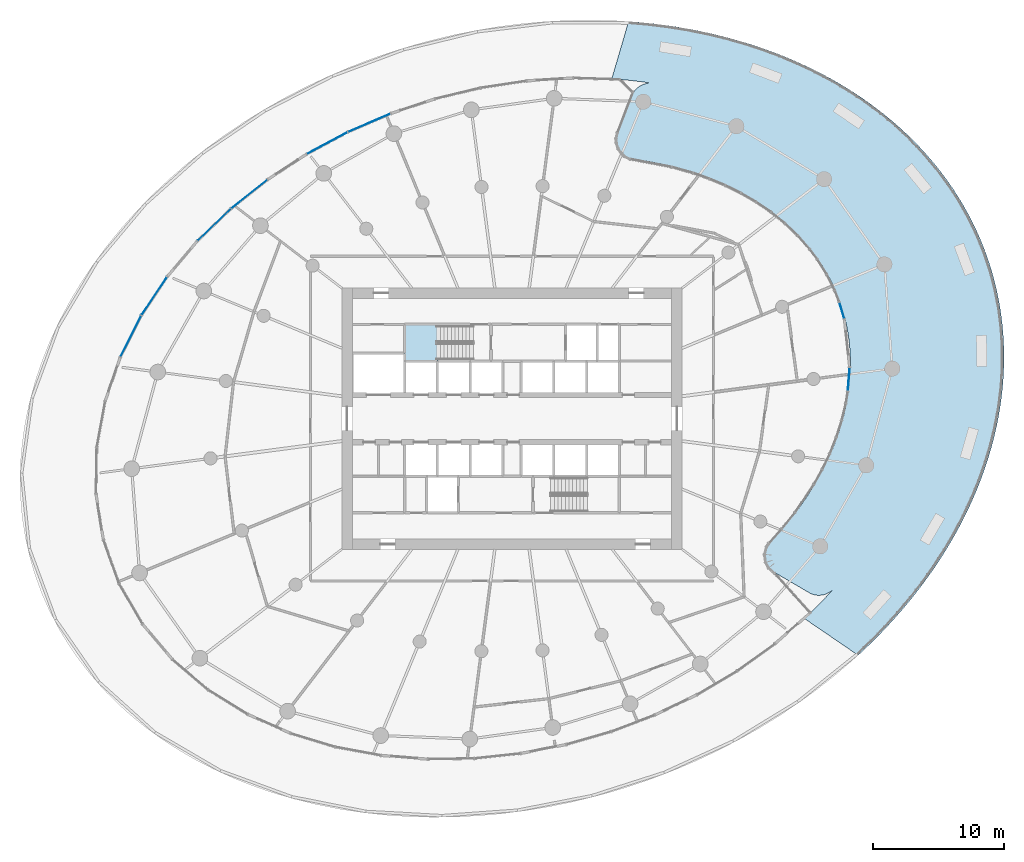
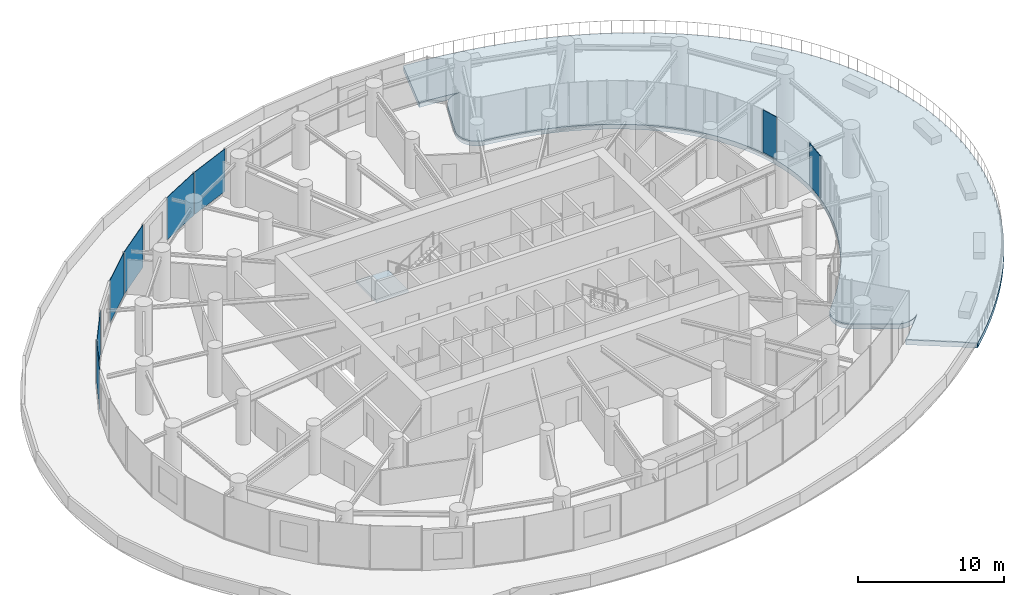
# One storey, part 11 of 24: 8 plates, 2 slabs, 6 elements without a shape of their own.
"""IFC4 building model written with IfcOpenShell, lengths in metres."""

from ifc_helpers import new_model, si_unit, direction, frame, origin, origin_2d, place, context, subcontext, project, spatial, line, indexed_curve, rectangle, outline, extrude, source, transform, mapped, material, layer, layer_set, type_object, element, aggregate, save


model = new_model("IFC4")

# Units and contexts
model_context = context("Model", 3, precision=1e-05, world=origin(), true_north=direction((0.0, 1.0)))
body_context = subcontext(model_context, "Body", "Model", "MODEL_VIEW")
ifc_project = project(units=[si_unit("LENGTHUNIT", "METRE"), si_unit("AREAUNIT", "SQUARE_METRE"), si_unit("VOLUMEUNIT", "CUBIC_METRE"), si_unit("PLANEANGLEUNIT", "RADIAN"), si_unit("MASSUNIT", "GRAM", prefix="KILO")], contexts=[model_context])

# Site, building, storey
site_placement = place(None, origin())
site = spatial("IfcSite", under=ifc_project, at=site_placement, CompositionType="ELEMENT")
building_placement = place(site_placement, origin())
building = spatial("IfcBuilding", under=site, at=building_placement, Name="Spindrift Exchange Tower", CompositionType="ELEMENT")
storey_placement = place(building_placement, frame((0.0, 0.0, 79.800048828125)))
storey = spatial("IfcBuildingStorey", under=building, at=storey_placement, Name="L18", CompositionType="ELEMENT", Elevation=79.800048828125)

# Slab
ifc_material_1 = material(Name="Concrete 40 MPa", Category="concrete")
ifc_layer_1 = layer(ifc_material_1, 0.39990234375)
ifc_layer_set_1 = layer_set([ifc_layer_1], Name="RC Garden Terrace Slab 400 Concrete 40 MPa")
slab_type_1 = type_object("IfcSlabType", Name="RC Garden Terrace Slab 400 Concrete 40 MPa", PredefinedType="FLOOR", material=ifc_layer_set_1)
slab_1_placement = place(storey_placement, frame((0.0, 0.0, -0.400146484375)))
element("IfcSlab", 1, at=slab_1_placement, inside=storey, type_object=slab_type_1, Name="Sky garden terrace L18", PredefinedType="FLOOR", context=body_context, shape_type="SweptSolid", body=[
    extrude(outline(indexed_curve([(62.739990234375, 73.62353515625), (61.979736328125, 73.732421875), (60.97607421875, 73.848876953125), (60.47265625, 73.896484375), (59.67724609375, 73.956298828125), (59.65478515625, 73.966064453125), (59.6396484375, 73.985595703125), (59.637451171875, 74.01953125), (60.89794921875, 78.313720703125), (60.909912109375, 78.33447265625), (60.93017578125, 78.34716796875), (61.6298828125, 78.29638671875), (62.812744140625, 78.1767578125), (63.99169921875, 78.023681640625), (64.580810546875, 77.934326171875), (65.751953125, 77.730224609375), (66.916015625, 77.491455078125), (68.0732421875, 77.217041015625), (68.6484375, 77.06640625), (69.791259765625, 76.73779296875), (70.359375, 76.5595703125), (70.92431640625, 76.3720703125), (72.04248046875, 75.96923828125), (72.59619140625, 75.753662109375), (73.146240234375, 75.52880859375), (73.693359375, 75.29345703125), (74.23486328125, 75.049072265625), (74.77197265625, 74.794921875), (75.305908203125, 74.530029296875), (75.832763671875, 74.256591796875), (76.354736328125, 73.972900390625), (76.871826171875, 73.678955078125), (77.38330078125, 73.375), (77.887939453125, 73.061279296875), (78.386962890625, 72.7373046875), (78.87939453125, 72.403076171875), (79.364013671875, 72.059326171875), (79.84130859375, 71.705810546875), (80.31201171875, 71.34130859375), (80.774658203125, 70.967041015625), (81.228515625, 70.5830078125), (81.674072265625, 70.189208984375), (82.110595703125, 69.785400390625), (82.537841796875, 69.371826171875), (82.95556640625, 68.94873046875), (83.363037109375, 68.516357421875), (83.760498046875, 68.07421875), (84.147705078125, 67.622314453125), (84.523681640625, 67.16162109375), (84.88818359375, 66.69189453125), (85.2412109375, 66.21337890625), (85.58251953125, 65.726318359375), (85.911376953125, 65.230712890625), (86.2275390625, 64.727294921875), (86.531005859375, 64.2158203125), (86.821044921875, 63.697021484375), (87.097900390625, 63.170654296875), (87.361083984375, 62.637451171875), (87.610107421875, 62.09765625), (87.84521484375, 61.551513671875), (88.066162109375, 60.99951171875), (88.272216796875, 60.4423828125), (88.463623046875, 59.87939453125), (88.640380859375, 59.312255859375), (88.80224609375, 58.739501953125), (88.949462890625, 58.162109375), (89.0810546875, 57.582763671875), (89.19775390625, 56.9990234375), (89.299072265625, 56.4130859375), (89.38525390625, 55.82568359375), (89.45654296875, 55.234619140625), (89.512451171875, 54.643310546875), (89.553466796875, 54.050048828125), (89.57958984375, 53.4560546875), (89.5908203125, 52.861572265625), (89.58740234375, 52.266357421875), (89.5693359375, 51.672607421875), (89.536865234375, 51.078369140625), (89.490234375, 50.486083984375), (89.429443359375, 49.895263671875), (89.35498046875, 49.305419921875), (89.2666015625, 48.71728515625), (89.164794921875, 48.13134765625), (89.05029296875, 47.548583984375), (88.921875, 46.96630859375), (88.78125, 46.388916015625), (88.628173828125, 45.815185546875), (88.462646484375, 45.243896484375), (88.28515625, 44.676513671875), (88.09521484375, 44.11181640625), (87.89453125, 43.552734375), (87.68212890625, 42.996826171875), (87.459228515625, 42.446044921875), (87.225341796875, 41.89990234375), (86.98046875, 41.357666015625), (86.725341796875, 40.820068359375), (86.46044921875, 40.2880859375), (86.185791015625, 39.76123046875), (85.901123046875, 39.2392578125), (85.607421875, 38.722412109375), (85.30419921875, 38.210693359375), (84.9921875, 37.70458984375), (84.67138671875, 37.203857421875), (84.34228515625, 36.708984375), (84.004150390625, 36.218505859375), (83.304931640625, 35.256591796875), (82.575439453125, 34.318603515625), (81.815673828125, 33.402587890625), (81.02880859375, 32.51171875), (80.215087890625, 31.644287109375), (79.3759765625, 30.801513671875), (78.947265625, 30.388916015625), (78.457763671875, 29.937744140625), (78.43408203125, 29.93505859375), (78.412109375, 29.943359375), (74.385986328125, 32.69580078125), (74.36767578125, 32.71875), (74.364501953125, 32.7431640625), (74.376708984375, 32.77001953125), (74.9541015625, 33.319580078125), (75.313720703125, 33.67529296875), (76.01708984375, 34.40087890625), (76.53759765625, 34.967529296875), (76.462646484375, 34.892578125), (76.349609375, 34.79931640625), (76.22998046875, 34.718505859375), (76.103271484375, 34.64990234375), (75.96142578125, 34.590087890625), (75.823486328125, 34.547607421875), (75.684814453125, 34.51904296875), (75.531494140625, 34.5029296875), (75.387451171875, 34.502197265625), (75.243896484375, 34.51513671875), (75.099853515625, 34.54248046875), (74.961181640625, 34.582763671875), (74.82080078125, 34.639404296875), (74.690185546875, 34.70751953125), (72.090576171875, 36.230224609375), (71.96435546875, 36.312744140625), (71.849365234375, 36.405517578125), (71.740478515625, 36.5126953125), (71.644775390625, 36.62841796875), (71.56103515625, 36.753173828125), (71.490234375, 36.885498046875), (71.432861328125, 37.0244140625), (71.3896484375, 37.168212890625), (71.361083984375, 37.315673828125), (71.347412109375, 37.465087890625), (71.34912109375, 37.620361328125), (71.365478515625, 37.76708984375), (71.39697265625, 37.9140625), (71.44189453125, 38.0546875), (71.50048828125, 38.190185546875), (71.577392578125, 38.327880859375), (71.662353515625, 38.448974609375), (71.758056640625, 38.560546875), (72.348388671875, 39.20654296875), (72.8818359375, 39.828369140625), (73.402587890625, 40.474609375), (73.664794921875, 40.81689453125), (74.16259765625, 41.501220703125), (74.634521484375, 42.199462890625), (75.093017578125, 42.93359375), (75.32080078125, 43.322509765625), (75.7353515625, 44.081298828125), (75.94287109375, 44.489990234375), (76.31396484375, 45.282958984375), (76.49072265625, 45.695068359375), (76.665283203125, 46.129150390625), (76.82373046875, 46.55224609375), (76.967041015625, 46.963134765625), (77.106201171875, 47.396240234375), (77.23486328125, 47.8330078125), (77.357421875, 48.2939453125), (77.46337890625, 48.73974609375), (77.5537109375, 49.169189453125), (77.6396484375, 49.64208984375), (77.708984375, 50.097900390625), (77.765380859375, 50.555908203125), (77.806396484375, 50.993896484375), (77.83642578125, 51.455078125), (77.852783203125, 51.940673828125), (77.85400390625, 52.404296875), (77.840576171875, 52.8671875), (77.814208984375, 53.30615234375), (77.771728515625, 53.767578125), (77.7109375, 54.252197265625), (77.6376953125, 54.710693359375), (77.54931640625, 55.166259765625), (77.451416015625, 55.593994140625), (77.33349609375, 56.04296875), (77.192626953125, 56.51171875), (77.043701171875, 56.951171875), (76.8798828125, 57.385498046875), (76.701416015625, 57.814208984375), (76.508544921875, 58.236328125), (76.302001953125, 58.6513671875), (76.09326171875, 59.0380859375), (75.847412109375, 59.4599609375), (75.60009765625, 59.852783203125), (75.3408203125, 60.236572265625), (75.08349609375, 60.593017578125), (74.78564453125, 60.978759765625), (74.4912109375, 61.336181640625), (74.186279296875, 61.68359375), (73.886474609375, 62.005615234375), (73.54638671875, 62.349853515625), (73.212158203125, 62.668212890625), (72.869873046875, 62.976318359375), (72.52001953125, 63.27392578125), (72.177978515625, 63.549560546875), (71.797607421875, 63.83935546875), (71.42724609375, 64.106201171875), (71.06640625, 64.352783203125), (70.684326171875, 64.6005859375), (70.282470703125, 64.846923828125), (69.89208984375, 65.073486328125), (69.5126953125, 65.2822265625), (69.099609375, 65.497314453125), (68.69921875, 65.694580078125), (67.905029296875, 66.05517578125), (67.484130859375, 66.230712890625), (66.680908203125, 66.537841796875), (66.258056640625, 66.685791015625), (65.45068359375, 66.943359375), (65.028076171875, 67.065673828125), (64.2099609375, 67.27978515625), (63.406982421875, 67.4619140625), (62.596923828125, 67.619384765625), (62.183349609375, 67.689697265625), (61.1669921875, 67.84326171875), (61.02490234375, 67.883544921875), (60.889892578125, 67.936767578125), (60.751708984375, 68.007568359375), (60.627685546875, 68.087890625), (60.512451171875, 68.18017578125), (60.39990234375, 68.29052734375), (60.305419921875, 68.404052734375), (60.219970703125, 68.53076171875), (60.14892578125, 68.6630859375), (60.09228515625, 68.79931640625), (60.050048828125, 68.938232421875), (60.02001953125, 69.088134765625), (60.005859375, 69.237548828125), (60.006591796875, 69.390380859375), (60.0224609375, 69.53955078125), (60.05322265625, 69.686767578125), (60.098388671875, 69.83056640625), (61.146728515625, 72.6552734375), (61.20361328125, 72.788330078125), (61.277587890625, 72.92333984375), (61.359130859375, 73.042236328125), (61.453369140625, 73.154541015625), (61.556396484375, 73.255615234375), (61.66845703125, 73.34619140625), (61.797119140625, 73.4306640625), (61.925048828125, 73.497314453125), (62.056396484375, 73.55078125), (62.2041015625, 73.594482421875), (62.345703125, 73.62158203125), (62.4892578125, 73.634765625), (62.6357421875, 73.634033203125)], segments=[line(1, 2, 3, 4, 5, 6, 7, 8, 9, 10, 11, 12, 13, 14, 15, 16, 17, 18, 19, 20, 21, 22, 23, 24, 25, 26, 27, 28, 29, 30, 31, 32, 33, 34, 35, 36, 37, 38, 39, 40, 41, 42, 43, 44, 45, 46, 47, 48, 49, 50, 51, 52, 53, 54, 55, 56, 57, 58, 59, 60, 61, 62, 63, 64, 65, 66, 67, 68, 69, 70, 71, 72, 73, 74, 75, 76, 77, 78, 79, 80, 81, 82, 83, 84, 85, 86, 87, 88, 89, 90, 91, 92, 93, 94, 95, 96, 97, 98, 99, 100, 101, 102, 103, 104, 105, 106, 107, 108, 109, 110, 111, 112, 113, 114, 115, 116, 117, 118, 119, 120, 121, 122, 123, 124, 125, 126, 127, 128, 129, 130, 131, 132, 133, 134, 135, 136, 137, 138, 139, 140, 141, 142, 143, 144, 145, 146, 147, 148, 149, 150, 151, 152, 153, 154, 155, 156, 157, 158, 159, 160, 161, 162, 163, 164, 165, 166, 167, 168, 169, 170, 171, 172, 173, 174, 175, 176, 177, 178, 179, 180, 181, 182, 183, 184, 185, 186, 187, 188, 189, 190, 191, 192, 193, 194, 195, 196, 197, 198, 199, 200, 201, 202, 203, 204, 205, 206, 207, 208, 209, 210, 211, 212, 213, 214, 215, 216, 217, 218, 219, 220, 221, 222, 223, 224, 225, 226, 227, 228, 229, 230, 231, 232, 233, 234, 235, 236, 237, 238, 239, 240, 241, 242, 243, 244, 245, 246, 247, 248, 249, 250, 251, 252, 253, 254, 255, 256, 257, 258, 259, 260, 261, 262, 1)], self_intersect=False)), origin(), (0.0, 0.0, 1.0), 0.400146484375),
])

# Stair, slab
ifc_material_2 = material(Name="Concrete 50 MPa", Category="concrete")
stair_type = type_object("IfcStairType", Name="ST-1250-R186", PredefinedType="HALF_TURN_STAIR", material=ifc_material_2)
stair_placement = place(storey_placement, origin())
stair = element("IfcStair", 2, at=stair_placement, inside=storey, type_object=stair_type, Name="L18 Exit stair ST1", PredefinedType="HALF_TURN_STAIR")
ifc_layer_2 = layer(ifc_material_2, 0.199951171875)
ifc_layer_set_2 = layer_set([ifc_layer_2], Name="SL-LANDING")
slab_type_2 = type_object("IfcSlabType", Name="SL-LANDING", PredefinedType="LANDING", material=ifc_layer_set_2)
slab_2_placement = place(storey_placement, frame((0.0, 0.0, 1.849853515625)))
slab_2 = element("IfcSlab", 3, at=slab_2_placement, type_object=slab_type_2, Name="ST1 landing 1", PredefinedType="LANDING", context=body_context, shape_type="SweptSolid", body=[
    extrude(outline(indexed_curve([(46.330078125, 52.39990234375), (43.800048828125, 52.39990234375), (43.800048828125, 55.199951171875), (46.330078125, 55.199951171875)], segments=[line(1, 2, 3, 4, 1)], self_intersect=False)), origin(), (0.0, 0.0, 1.0), 0.2001953125),
])
aggregate(stair, [slab_2])

# Curtain wall, plate
ifc_material_3 = material(Name="Fritted laminated glass with bronze frame", Category="glass")
ifc_layer_3 = layer(ifc_material_3, 0.18994140625)
ifc_layer_set_3 = layer_set([ifc_layer_3], Name="ZONE 2 BRONZE FRITTED WALL")
curtain_wall_type_1 = type_object("IfcCurtainWallType", Name="ZONE 2 BRONZE FRITTED WALL", PredefinedType="NOTDEFINED", material=ifc_layer_set_3)
curtain_wall_1_placement = place(storey_placement, origin())
curtain_wall_1 = element("IfcCurtainWall", 4, at=curtain_wall_1_placement, inside=storey, type_object=curtain_wall_type_1, Name="L18 Zone 2 Bronze Fritted Wall run 1", PredefinedType="NOTDEFINED")
ifc_material_4 = material(Name="Bronze tinted laminated glass, light frit", Category="glass")
ifc_layer_4 = layer(ifc_material_4, 0.033935546875)
ifc_layer_set_4 = layer_set([ifc_layer_4], Name="ZONE 2 BRONZE FRITTED WALL PANEL LIGHT FRIT 960")
plate_type_1 = type_object("IfcPlateType", Name="ZONE 2 BRONZE FRITTED WALL PANEL LIGHT FRIT 960", PredefinedType="CURTAIN_PANEL", material=ifc_layer_set_4)
shared_shape_1 = source(origin(), body_context, "Body", "SweptSolid", [
    extrude(rectangle(XDim=3.49169921875, YDim=0.033935546875, at=origin_2d()), origin(), (0.0, 0.0, 1.0), 3.56005859375),
])
plate_1_placement = place(storey_placement, frame((41.09619140625, 70.602783203125, 0.139892578125), z_axis=(0.0, 0.0, 1.0), x_axis=(-0.918673357413, -0.395018053233, 0.0)))
plate_1 = element("IfcPlate", 5, at=plate_1_placement, type_object=plate_type_1, Name="L18 panel CW-2.6", PredefinedType="CURTAIN_PANEL", context=body_context, shape_type="MappedRepresentation", body=[
    mapped(shared_shape_1, transform((0.0, 0.0, 0.0), scale=1.0)),
])
aggregate(curtain_wall_1, [plate_1])

# Curtain wall, plates
curtain_wall_2_placement = place(storey_placement, origin())
curtain_wall_2 = element("IfcCurtainWall", 6, at=curtain_wall_2_placement, inside=storey, type_object=curtain_wall_type_1, Name="L18 Zone 2 Bronze Fritted Wall run 2", PredefinedType="NOTDEFINED")
ifc_layer_5 = layer(ifc_material_4, 0.033935546875)
ifc_layer_set_5 = layer_set([ifc_layer_5], Name="ZONE 2 BRONZE FRITTED WALL PANEL LIGHT FRIT 1200")
plate_type_2 = type_object("IfcPlateType", Name="ZONE 2 BRONZE FRITTED WALL PANEL LIGHT FRIT 1200", PredefinedType="CURTAIN_PANEL", material=ifc_layer_set_5)
shared_shape_2 = source(origin(), body_context, "Body", "SweptSolid", [
    extrude(rectangle(XDim=3.49169921875, YDim=0.033935546875, at=origin_2d()), origin(), (0.0, 0.0, 1.0), 3.56005859375),
])
plate_2_placement = place(storey_placement, frame((37.885498046875, 69.05712890625, 0.139892578125), z_axis=(0.0, 0.0, 1.0), x_axis=(-0.881697379014, -0.471815357782, 0.0)))
plate_2 = element("IfcPlate", 7, at=plate_2_placement, type_object=plate_type_2, Name="L18 panel CW-2.7", PredefinedType="CURTAIN_PANEL", context=body_context, shape_type="MappedRepresentation", body=[
    mapped(shared_shape_2, transform((0.0, 0.0, 0.0), scale=1.0)),
])
shared_shape_3 = source(origin(), body_context, "Body", "SweptSolid", [
    extrude(rectangle(XDim=3.491455078125, YDim=0.033935546875, at=origin_2d()), origin(), (0.0, 0.0, 1.0), 3.56005859375),
])
plate_3_placement = place(storey_placement, frame((31.929931640625, 65.157470703125, 0.139892578125), z_axis=(0.0, 0.0, 1.0), x_axis=(-0.783865800223, -0.620930275668, 0.0)))
plate_3 = element("IfcPlate", 8, at=plate_3_placement, type_object=plate_type_2, Name="L18 panel CW-2.9", PredefinedType="CURTAIN_PANEL", context=body_context, shape_type="MappedRepresentation", body=[
    mapped(shared_shape_3, transform((0.0, 0.0, 0.0), scale=1.0)),
])
shared_shape_4 = source(origin(), body_context, "Body", "SweptSolid", [
    extrude(rectangle(XDim=3.4912109375, YDim=0.033935546875, at=origin_2d()), origin(), (0.0, 0.0, 1.0), 3.56005859375),
])
plate_4_placement = place(storey_placement, frame((29.247314453125, 62.813720703125, 0.139892578125), z_axis=(0.0, 0.0, 1.0), x_axis=(-0.720547481027, -0.693405601063, 0.0)))
plate_4 = element("IfcPlate", 9, at=plate_4_placement, type_object=plate_type_1, Name="L18 panel CW-2.10", PredefinedType="CURTAIN_PANEL", context=body_context, shape_type="MappedRepresentation", body=[
    mapped(shared_shape_4, transform((0.0, 0.0, 0.0), scale=1.0)),
])
shared_shape_5 = source(origin(), body_context, "Body", "SweptSolid", [
    extrude(rectangle(XDim=3.490478515625, YDim=0.033935546875, at=origin_2d()), origin(), (0.0, 0.0, 1.0), 3.56005859375),
])
plate_5_placement = place(storey_placement, frame((24.669921875, 57.371337890625, 0.139892578125), z_axis=(0.0, 0.0, 1.0), x_axis=(-0.555999710579, -0.831182484077, 0.0)))
plate_5 = element("IfcPlate", 10, at=plate_5_placement, type_object=plate_type_1, Name="L18 panel CW-2.12", PredefinedType="CURTAIN_PANEL", context=body_context, shape_type="MappedRepresentation", body=[
    mapped(shared_shape_5, transform((0.0, 0.0, 0.0), scale=1.0)),
])
aggregate(curtain_wall_2, [plate_2, plate_3, plate_4, plate_5])

# Curtain wall, plate
curtain_wall_3_placement = place(storey_placement, origin())
curtain_wall_3 = element("IfcCurtainWall", 11, at=curtain_wall_3_placement, inside=storey, type_object=curtain_wall_type_1, Name="L18 Zone 2 Bronze Fritted Wall run 3", PredefinedType="NOTDEFINED")
ifc_layer_6 = layer(ifc_material_4, 0.033935546875)
ifc_layer_set_6 = layer_set([ifc_layer_6], Name="ZONE 2 BRONZE FRITTED WALL PANEL LIGHT FRIT 720")
plate_type_3 = type_object("IfcPlateType", Name="ZONE 2 BRONZE FRITTED WALL PANEL LIGHT FRIT 720", PredefinedType="CURTAIN_PANEL", material=ifc_layer_set_6)
shared_shape_6 = source(origin(), body_context, "Body", "SweptSolid", [
    extrude(rectangle(XDim=3.490234375, YDim=0.033935546875, at=origin_2d()), origin(), (0.0, 0.0, 1.0), 3.56005859375),
])
plate_6_placement = place(storey_placement, frame((22.876220703125, 54.297607421875, 0.139892578125), z_axis=(0.0, 0.0, 1.0), x_axis=(-0.450026746642, -0.893015076752, 0.0)))
plate_6 = element("IfcPlate", 12, at=plate_6_placement, type_object=plate_type_3, Name="L18 panel CW-2.13", PredefinedType="CURTAIN_PANEL", context=body_context, shape_type="MappedRepresentation", body=[
    mapped(shared_shape_6, transform((0.0, 0.0, 0.0), scale=1.0)),
])
aggregate(curtain_wall_3, [plate_6])

ifc_layer_7 = layer(ifc_material_3, 0.199951171875)
ifc_layer_set_7 = layer_set([ifc_layer_7], Name="SKY GARDEN BRONZE GLAZED WALL")
curtain_wall_type_2 = type_object("IfcCurtainWallType", Name="SKY GARDEN BRONZE GLAZED WALL", PredefinedType="NOTDEFINED", material=ifc_layer_set_7)
curtain_wall_4_placement = place(storey_placement, origin())
curtain_wall_4 = element("IfcCurtainWall", 13, at=curtain_wall_4_placement, inside=storey, type_object=curtain_wall_type_2, Name="L18 Sky Garden Bronze Glazed Wall run 9", PredefinedType="NOTDEFINED")
ifc_material_5 = material(Name="Bronze tinted laminated glass, clear vision", Category="glass")
ifc_layer_8 = layer(ifc_material_5, 0.0380859375)
ifc_layer_set_8 = layer_set([ifc_layer_8], Name="SKY GARDEN BRONZE GLAZED WALL PANEL CLEAR 1200")
plate_type_4 = type_object("IfcPlateType", Name="SKY GARDEN BRONZE GLAZED WALL PANEL CLEAR 1200", PredefinedType="CURTAIN_PANEL", material=ifc_layer_set_8)
shared_shape_7 = source(origin(), body_context, "Body", "SweptSolid", [
    extrude(rectangle(XDim=1.756103515625, YDim=0.0380859375, at=origin_2d()), origin(), (0.0, 0.0, 1.0), 3.550048828125),
])
plate_7_placement = place(storey_placement, frame((77.7314453125, 51.00146484375, 0.14990234375), z_axis=(0.0, 0.0, 1.0), x_axis=(0.079304682607, 0.996850423743, 0.0)))
plate_7 = element("IfcPlate", 14, at=plate_7_placement, type_object=plate_type_4, Name="L18 panel CW-G.51", PredefinedType="CURTAIN_PANEL", context=body_context, shape_type="MappedRepresentation", body=[
    mapped(shared_shape_7, transform((0.0, 0.0, 0.0), scale=1.0)),
])
aggregate(curtain_wall_4, [plate_7])

curtain_wall_5_placement = place(storey_placement, origin())
curtain_wall_5 = element("IfcCurtainWall", 15, at=curtain_wall_5_placement, inside=storey, type_object=curtain_wall_type_2, Name="L18 Sky Garden Bronze Glazed Wall run 10", PredefinedType="NOTDEFINED")
ifc_layer_9 = layer(ifc_material_5, 0.0380859375)
ifc_layer_set_9 = layer_set([ifc_layer_9], Name="SKY GARDEN BRONZE GLAZED WALL PANEL CLEAR 1920")
plate_type_5 = type_object("IfcPlateType", Name="SKY GARDEN BRONZE GLAZED WALL PANEL CLEAR 1920", PredefinedType="CURTAIN_PANEL", material=ifc_layer_set_9)
shared_shape_8 = source(origin(), body_context, "Body", "SweptSolid", [
    extrude(rectangle(XDim=1.277587890625, YDim=0.0380859375, at=origin_2d()), origin(), (0.0, 0.0, 1.0), 3.550048828125),
])
plate_8_placement = place(storey_placement, frame((77.202880859375, 56.259521484375, 0.14990234375), z_axis=(0.0, 0.0, 1.0), x_axis=(-0.287860323668, 0.957672404352, 0.0)))
plate_8 = element("IfcPlate", 16, at=plate_8_placement, type_object=plate_type_5, Name="L18 panel CW-G.54", PredefinedType="CURTAIN_PANEL", context=body_context, shape_type="MappedRepresentation", body=[
    mapped(shared_shape_8, transform((0.0, 0.0, 0.0), scale=1.0)),
])
aggregate(curtain_wall_5, [plate_8])

save(model, "model.ifc")
